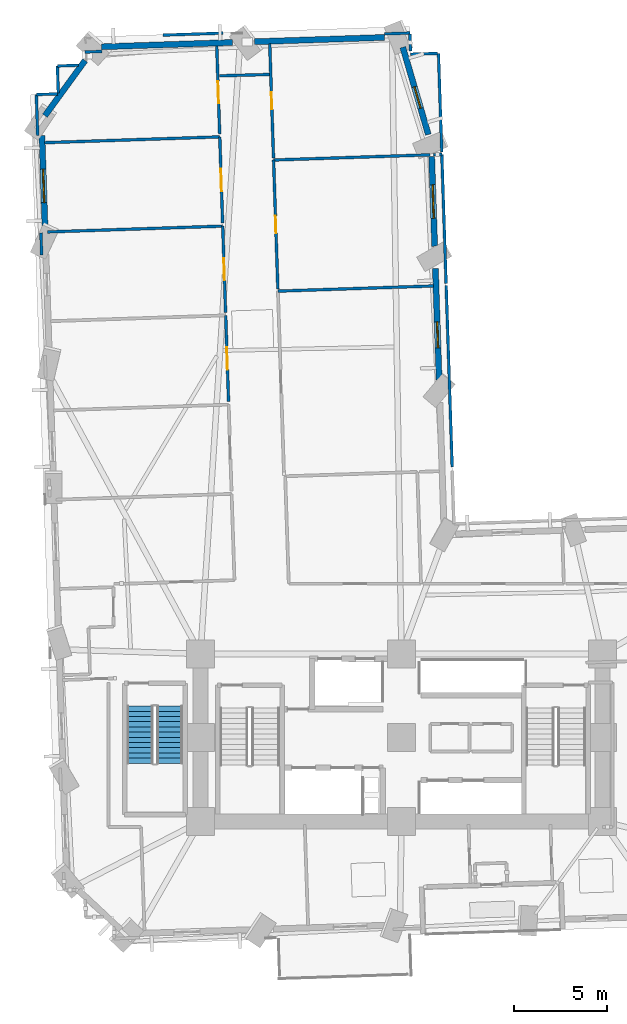
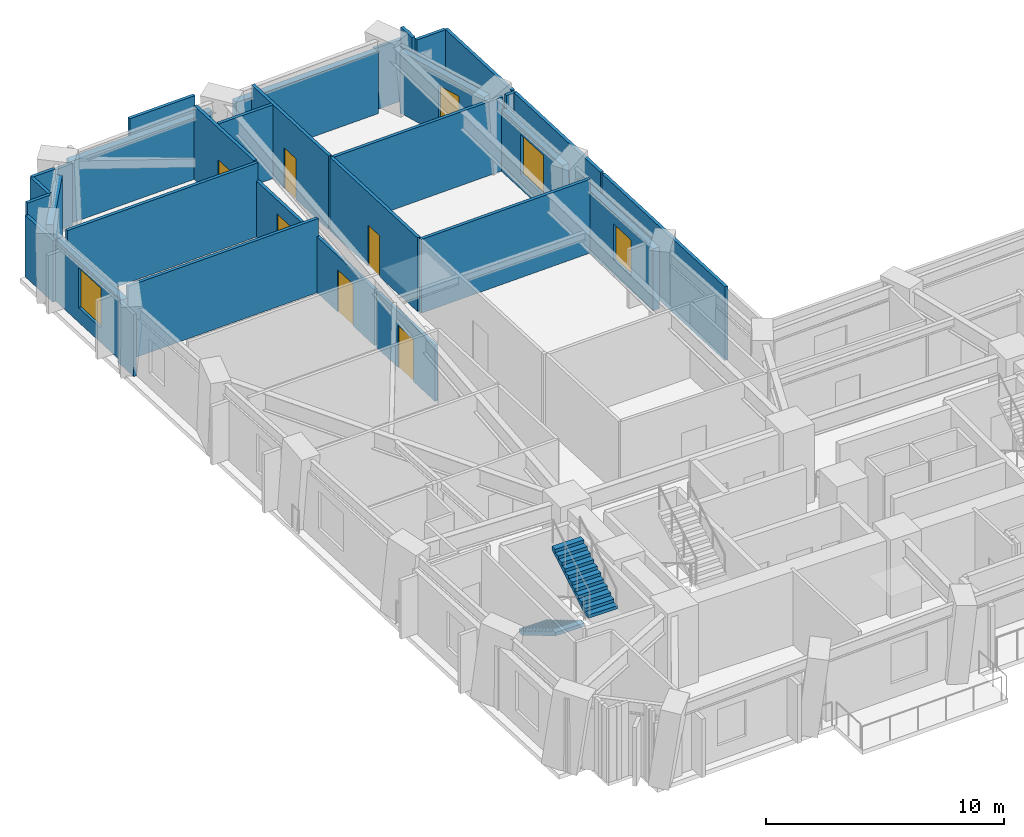
# One storey, part 9 of 14: 32 walls, 6 doors, 4 windows, 2 stair flights, 10 openings, 1 element without a shape of its own.
"""IFC4 building model written with IfcOpenShell, lengths in metres."""

from ifc_helpers import new_model, si_unit, direction, frame, frame_2d, origin, place, context, subcontext, project, spatial, polyline, rectangle, outline, extrude, material, layer, layer_set, type_object, element, fill, aggregate, save


model = new_model("IFC4")

# Units and contexts
model_context = context("Model", 3, precision=1e-05, world=origin(), true_north=direction((0.0, 1.0)))
body_context = subcontext(model_context, "Body", "Model", "MODEL_VIEW")
ifc_project = project(units=[si_unit("LENGTHUNIT", "METRE"), si_unit("AREAUNIT", "SQUARE_METRE"), si_unit("VOLUMEUNIT", "CUBIC_METRE"), si_unit("PLANEANGLEUNIT", "RADIAN"), si_unit("MASSUNIT", "GRAM", prefix="KILO")], contexts=[model_context])

# Site, building, storey
site_placement = place(None, origin())
site = spatial("IfcSite", under=ifc_project, at=site_placement, CompositionType="ELEMENT")
building_placement = place(site_placement, origin())
building = spatial("IfcBuilding", under=site, at=building_placement, Name="Gaonmaruhae Medical Tower", CompositionType="ELEMENT")
storey_placement = place(building_placement, frame((0.0, 0.0, 31.0)))
storey = spatial("IfcBuildingStorey", under=building, at=storey_placement, Name="L06", CompositionType="ELEMENT", Elevation=31.0)

# Wall, opening, window
ifc_material_1 = material(Name="Precast concrete C45/55", Category="concrete")
ifc_layer_1 = layer(ifc_material_1, 0.320068359375)
ifc_layer_set_1 = layer_set([ifc_layer_1], Name="Precast concrete C45/55")
wall_type_1 = type_object("IfcWallType", Name="EW-320 Lower Precast Masonry-Frame Facade Wall", PredefinedType="SOLIDWALL", material=ifc_layer_set_1)
wall_1_placement = place(storey_placement, frame((26.822998046875, 31.52978515625, 0.0), z_axis=(0.0, 0.0, 1.0), x_axis=(-0.033139960349, 0.99945072066, 0.0)))
wall_1 = element("IfcWall", 1, at=wall_1_placement, inside=storey, type_object=wall_type_1, Name="L06 Precast Masonry-Frame Wall NE01-NE02", PredefinedType="SOLIDWALL", context=body_context, shape_type="SweptSolid", body=[
    extrude(rectangle(XDim=5.99658203125, YDim=0.320068359375, at=frame_2d((2.998291015625, 0.0))), origin(), (0.0, 0.0, 1.0), 3.1650390625),
])
opening_1_placement = place(wall_1_placement, frame((1.72509765625, 0.0, 0.75)))
opening_1 = element("IfcOpeningElement", 2, at=opening_1_placement, cuts=wall_1, Name="Opening WN-03", PredefinedType="OPENING", context=body_context, shape_type="SweptSolid", body=[
    extrude(rectangle(XDim=1.39990234375, YDim=1.85009765625, at=frame_2d((0.699951171875, 0.925048828125))), frame((0.0, 0.169921875, 0.0), z_axis=(0.0, -1.0, 0.0), x_axis=(1.0, 0.0, 0.0)), (0.0, 0.0, 1.0), 0.340087890625),
])
ifc_material_2 = material(Name="Anodised aluminium and Low-E double glazing", Category="aluminium")
window_type_1 = type_object("IfcWindowType", Name="WN-03 Isolation Ward Punched Window 1400x1850", PartitioningType="SINGLE_PANEL", PredefinedType="WINDOW", material=ifc_material_2)
window_1_placement = place(opening_1_placement, origin())
window_1 = element("IfcWindow", 3, at=window_1_placement, inside=storey, type_object=window_type_1, Name="L06 Modular Facade Window NE01", OverallHeight=1.85009765625, OverallWidth=1.39990234375, PartitioningType="SINGLE_PANEL", PredefinedType="WINDOW", context=body_context, shape_type="SweptSolid", body=[
    extrude(rectangle(XDim=1.39990234375, YDim=1.85009765625, at=frame_2d((0.699951171875, 0.925048828125))), frame((0.0, 0.030029296875, 0.0), z_axis=(0.0, -1.0, 0.0), x_axis=(1.0, 0.0, 0.0)), (0.0, 0.0, 1.0), 0.06005859375),
])
fill(opening_1, window_1)

wall_2_placement = place(storey_placement, frame((26.584716796875, 38.71728515625, 0.0), z_axis=(0.0, 0.0, 1.0), x_axis=(-0.033151114743, 0.999450350739, 0.0)))
wall_2 = element("IfcWall", 4, at=wall_2_placement, inside=storey, type_object=wall_type_1, Name="L06 Precast Masonry-Frame Wall NE02-NE03", PredefinedType="SOLIDWALL", context=body_context, shape_type="SweptSolid", body=[
    extrude(rectangle(XDim=4.81640625, YDim=0.320068359375, at=frame_2d((2.408203125, 0.0))), origin(), (0.0, 0.0, 1.0), 3.1650390625),
])
opening_2_placement = place(wall_2_placement, frame((1.505615234375, 0.0, 0.75)))
opening_2 = element("IfcOpeningElement", 5, at=opening_2_placement, cuts=wall_2, Name="Opening WN-04", PredefinedType="OPENING", context=body_context, shape_type="SweptSolid", body=[
    extrude(rectangle(XDim=1.800048828125, YDim=2.050048828125, at=frame_2d((0.89990234375, 1.02490234375))), frame((0.0, 0.169921875, 0.0), z_axis=(0.0, -1.0, 0.0), x_axis=(1.0, 0.0, 0.0)), (0.0, 0.0, 1.0), 0.340087890625),
])
window_type_2 = type_object("IfcWindowType", Name="WN-04 Clinic & Consult Punched Window 1800x2050", PartitioningType="SINGLE_PANEL", PredefinedType="WINDOW", material=ifc_material_2)
window_2_placement = place(opening_2_placement, origin())
window_2 = element("IfcWindow", 6, at=window_2_placement, inside=storey, type_object=window_type_2, Name="L06 Modular Facade Window NE02", OverallHeight=2.050048828125, OverallWidth=1.800048828125, PartitioningType="SINGLE_PANEL", PredefinedType="WINDOW", context=body_context, shape_type="SweptSolid", body=[
    extrude(rectangle(XDim=1.800048828125, YDim=2.050048828125, at=frame_2d((0.89990234375, 1.02490234375))), frame((0.0, 0.030029296875, 0.0), z_axis=(0.0, -1.0, 0.0), x_axis=(1.0, 0.0, 0.0)), (0.0, 0.0, 1.0), 0.06005859375),
])
fill(opening_2, window_2)

wall_3_placement = place(storey_placement, frame((24.873291015625, 49.412109375, 0.0), z_axis=(0.0, 0.0, 1.0), x_axis=(0.280335546641, -0.959902068593, 0.0)))
wall_3 = element("IfcWall", 7, at=wall_3_placement, inside=storey, type_object=wall_type_1, Name="L06 Precast Masonry-Frame Wall NE03-N01", PredefinedType="SOLIDWALL", context=body_context, shape_type="SweptSolid", body=[
    extrude(rectangle(XDim=4.88916015625, YDim=0.320068359375, at=frame_2d((2.444580078125, 0.0))), origin(), (0.0, 0.0, 1.0), 3.1650390625),
])
opening_3_placement = place(wall_3_placement, frame((2.21484375, 0.0, 0.75)))
opening_3 = element("IfcOpeningElement", 8, at=opening_3_placement, cuts=wall_3, Name="Opening WN-05", PredefinedType="OPENING", context=body_context, shape_type="SweptSolid", body=[
    extrude(rectangle(XDim=1.199951171875, YDim=1.75, at=frame_2d((0.60009765625, 0.875))), frame((0.0, 0.169921875, 0.0), z_axis=(0.0, -1.0, 0.0), x_axis=(1.0, 0.0, 0.0)), (0.0, 0.0, 1.0), 0.340087890625),
])
window_type_3 = type_object("IfcWindowType", Name="WN-05 Support & Staff Punched Window 1200x1750", PartitioningType="SINGLE_PANEL", PredefinedType="WINDOW", material=ifc_material_2)
window_3_placement = place(opening_3_placement, origin())
window_3 = element("IfcWindow", 9, at=window_3_placement, inside=storey, type_object=window_type_3, Name="L06 Modular Facade Window NE03", OverallHeight=1.75, OverallWidth=1.199951171875, PartitioningType="SINGLE_PANEL", PredefinedType="WINDOW", context=body_context, shape_type="SweptSolid", body=[
    extrude(rectangle(XDim=1.199951171875, YDim=1.75, at=frame_2d((0.60009765625, 0.875))), frame((0.0, 0.030029296875, 0.0), z_axis=(0.0, -1.0, 0.0), x_axis=(1.0, 0.0, 0.0)), (0.0, 0.0, 1.0), 0.06005859375),
])
fill(opening_3, window_3)

# Walls
wall_4_placement = place(storey_placement, frame((16.8974609375, 49.7099609375, 0.0), z_axis=(0.0, 0.0, 1.0), x_axis=(0.999450233856, 0.033154638356, 0.0)))
element("IfcWall", 10, at=wall_4_placement, inside=storey, type_object=wall_type_1, Name="L06 Precast Masonry-Frame Wall N01-N02", PredefinedType="SOLIDWALL", context=body_context, shape_type="SweptSolid", body=[
    extrude(rectangle(XDim=7.0029296875, YDim=0.320068359375, at=frame_2d((3.50146484375, 0.0))), origin(), (0.0, 0.0, 1.0), 3.1650390625),
])
wall_5_placement = place(storey_placement, frame((8.6826171875, 49.4375, 0.0), z_axis=(0.0, 0.0, 1.0), x_axis=(0.999450593148, 0.033143805697, 0.0)))
element("IfcWall", 11, at=wall_5_placement, inside=storey, type_object=wall_type_1, Name="L06 Precast Masonry-Frame Wall N02-N03", PredefinedType="SOLIDWALL", context=body_context, shape_type="SweptSolid", body=[
    extrude(rectangle(XDim=7.03466796875, YDim=0.320068359375, at=frame_2d((3.517333984375, 0.0))), origin(), (0.0, 0.0, 1.0), 3.1650390625),
])
wall_6_placement = place(storey_placement, frame((5.63623046875, 45.7353515625, 0.0), z_axis=(0.0, 0.0, 1.0), x_axis=(0.588171697675, 0.808736084303, 0.0)))
element("IfcWall", 12, at=wall_6_placement, inside=storey, type_object=wall_type_1, Name="L06 Precast Masonry-Frame Wall N03-W01", PredefinedType="SOLIDWALL", context=body_context, shape_type="SweptSolid", body=[
    extrude(rectangle(XDim=3.666015625, YDim=0.320068359375, at=frame_2d((1.8330078125, 0.0))), origin(), (0.0, 0.0, 1.0), 3.1650390625),
])

# Wall, opening, window
wall_7_placement = place(storey_placement, frame((5.64892578125, 39.44775390625, 0.0), z_axis=(0.0, 0.0, 1.0), x_axis=(-0.033140517624, 0.999450702182, 0.0)))
wall_7 = element("IfcWall", 13, at=wall_7_placement, inside=storey, type_object=wall_type_1, Name="L06 Precast Masonry-Frame Wall W01-W02", PredefinedType="SOLIDWALL", context=body_context, shape_type="SweptSolid", body=[
    extrude(rectangle(XDim=5.22314453125, YDim=0.320068359375, at=frame_2d((2.611572265625, 0.0))), origin(), (0.0, 0.0, 1.0), 3.1650390625),
])
opening_4_placement = place(wall_7_placement, frame((1.613525390625, 0.0, 0.75)))
opening_4 = element("IfcOpeningElement", 14, at=opening_4_placement, cuts=wall_7, Name="Opening WN-04", PredefinedType="OPENING", context=body_context, shape_type="SweptSolid", body=[
    extrude(rectangle(XDim=1.800048828125, YDim=2.050048828125, at=frame_2d((0.89990234375, 1.02490234375))), frame((0.0, 0.169921875, 0.0), z_axis=(0.0, -1.0, 0.0), x_axis=(1.0, 0.0, 0.0)), (0.0, 0.0, 1.0), 0.340087890625),
])
window_4_placement = place(opening_4_placement, origin())
window_4 = element("IfcWindow", 15, at=window_4_placement, inside=storey, type_object=window_type_2, Name="L06 Modular Facade Window W01", OverallHeight=2.050048828125, OverallWidth=1.800048828125, PartitioningType="SINGLE_PANEL", PredefinedType="WINDOW", context=body_context, shape_type="SweptSolid", body=[
    extrude(rectangle(XDim=1.800048828125, YDim=2.050048828125, at=frame_2d((0.89990234375, 1.02490234375))), frame((0.0, 0.030029296875, 0.0), z_axis=(0.0, -1.0, 0.0), x_axis=(1.0, 0.0, 0.0)), (0.0, 0.0, 1.0), 0.06005859375),
])
fill(opening_4, window_4)

# Wall, opening, door
ifc_material_3 = material(Name="Gypsum board partition", Category="gypsum")
ifc_layer_2 = layer(ifc_material_3, 0.14990234375)
ifc_layer_set_2 = layer_set([ifc_layer_2], Name="Gypsum board partition")
wall_type_2 = type_object("IfcWallType", Name="PW-150 Rated Clinical Corridor Partition", PredefinedType="PARTITIONING", material=ifc_layer_set_2)
wall_8_placement = place(storey_placement, frame((15.35205078125, 35.0009765625, 0.0), z_axis=(0.0, 0.0, 1.0), x_axis=(0.033197462788, -0.999448812328, 0.0)))
wall_8 = element("IfcWall", 16, at=wall_8_placement, inside=storey, type_object=wall_type_2, Name="L06 Interior Partition L06-WOF16-62", PredefinedType="PARTITIONING", context=body_context, shape_type="SweptSolid", body=[
    extrude(rectangle(XDim=4.640380859375, YDim=0.14990234375, at=frame_2d((2.3203125, 0.0))), origin(), (0.0, 0.0, 1.0), 2.864990234375),
])
opening_5_placement = place(wall_8_placement, frame((1.72021484375, 0.0, 0.0)))
opening_5 = element("IfcOpeningElement", 17, at=opening_5_placement, cuts=wall_8, Name="Opening CD-02", PredefinedType="OPENING", context=body_context, shape_type="SweptSolid", body=[
    extrude(rectangle(XDim=1.199951171875, YDim=2.14990234375, at=frame_2d((0.60009765625, 1.074951171875))), frame((0.0, 0.0849609375, 0.0), z_axis=(0.0, -1.0, 0.0), x_axis=(1.0, 0.0, 0.0)), (0.0, 0.0, 1.0), 0.169921875),
])
ifc_material_4 = material(Name="Antimicrobial laminate timber fire door", Category="wood")
door_type_1 = type_object("IfcDoorType", Name="CD-02 Clinical Treatment & Procedure Door 1200x2150", OperationType="NOTDEFINED", PredefinedType="DOOR", material=ifc_material_4)
door_1_placement = place(opening_5_placement, origin())
door_1 = element("IfcDoor", 18, at=door_1_placement, inside=storey, type_object=door_type_1, Name="L06 Ward Physician Reporting Office Door", OperationType="SINGLE_SWING_LEFT", OverallHeight=2.14990234375, OverallWidth=1.199951171875, PredefinedType="DOOR", context=body_context, shape_type="SweptSolid", body=[
    extrude(rectangle(XDim=1.199951171875, YDim=2.14990234375, at=frame_2d((0.60009765625, 1.074951171875))), frame((0.0, 0.02490234375, 0.0), z_axis=(0.0, -1.0, 0.0), x_axis=(1.0, 0.0, 0.0)), (0.0, 0.0, 1.0), 0.050048828125),
])
fill(opening_5, door_1)

# Wall
wall_9_placement = place(storey_placement, frame((5.782958984375, 39.486083984375, 0.0), z_axis=(0.0, 0.0, 1.0), x_axis=(0.999450762432, 0.03313870056, 0.0)))
element("IfcWall", 19, at=wall_9_placement, inside=storey, type_object=wall_type_2, Name="L06 Interior Partition L06-WOF17-64", PredefinedType="PARTITIONING", context=body_context, shape_type="SweptSolid", body=[
    extrude(rectangle(XDim=9.415283203125, YDim=0.14990234375, at=frame_2d((4.70751953125, 0.0))), origin(), (0.0, 0.0, 1.0), 3.780029296875),
])

# Wall, opening, door
wall_10_placement = place(storey_placement, frame((15.193115234375, 39.798095703125, 0.0), z_axis=(0.0, 0.0, 1.0), x_axis=(0.032932963172, -0.999457562849, 0.0)))
wall_10 = element("IfcWall", 20, at=wall_10_placement, inside=storey, type_object=wall_type_2, Name="L06 Interior Partition L06-WOF17-65", PredefinedType="PARTITIONING", context=body_context, shape_type="SweptSolid", body=[
    extrude(rectangle(XDim=4.640625, YDim=0.14990234375, at=frame_2d((2.3203125, 0.0))), origin(), (0.0, 0.0, 1.0), 2.864990234375),
])
opening_6_placement = place(wall_10_placement, frame((1.72021484375, 0.0, 0.0)))
opening_6 = element("IfcOpeningElement", 21, at=opening_6_placement, cuts=wall_10, Name="Opening CD-02", PredefinedType="OPENING", context=body_context, shape_type="SweptSolid", body=[
    extrude(rectangle(XDim=1.199951171875, YDim=2.14990234375, at=frame_2d((0.60009765625, 1.074951171875))), frame((0.0, 0.0849609375, 0.0), z_axis=(0.0, -1.0, 0.0), x_axis=(1.0, 0.0, 0.0)), (0.0, 0.0, 1.0), 0.169921875),
])
door_2_placement = place(opening_6_placement, origin())
door_2 = element("IfcDoor", 22, at=door_2_placement, inside=storey, type_object=door_type_1, Name="L06 Ward Physician Reporting Office Door", OperationType="SINGLE_SWING_LEFT", OverallHeight=2.14990234375, OverallWidth=1.199951171875, PredefinedType="DOOR", context=body_context, shape_type="SweptSolid", body=[
    extrude(rectangle(XDim=1.199951171875, YDim=2.14990234375, at=frame_2d((0.60009765625, 1.074951171875))), frame((0.0, 0.02490234375, 0.0), z_axis=(0.0, -1.0, 0.0), x_axis=(1.0, 0.0, 0.0)), (0.0, 0.0, 1.0), 0.050048828125),
])
fill(opening_6, door_2)

# Walls
wall_11_placement = place(storey_placement, frame((5.458984375, 38.2509765625, 0.0), z_axis=(0.0, 0.0, 1.0), x_axis=(-0.033656486127, 0.999433459987, 0.0)))
element("IfcWall", 23, at=wall_11_placement, inside=storey, type_object=wall_type_2, Name="L06 Interior Partition L06-WOF17-66", PredefinedType="PARTITIONING", context=body_context, shape_type="SweptSolid", body=[
    extrude(rectangle(XDim=1.189697265625, YDim=0.14990234375, at=frame_2d((0.5947265625, 0.0))), origin(), (0.0, 0.0, 1.0), 3.1650390625),
])
wall_12_placement = place(storey_placement, frame((5.6240234375, 44.282958984375, 0.0), z_axis=(0.0, 0.0, 1.0), x_axis=(0.999450620025, 0.03314299521, 0.0)))
element("IfcWall", 24, at=wall_12_placement, inside=storey, type_object=wall_type_2, Name="L06 Interior Partition L06-WOF18-67", PredefinedType="PARTITIONING", context=body_context, shape_type="SweptSolid", body=[
    extrude(rectangle(XDim=9.4140625, YDim=0.14990234375, at=frame_2d((4.70703125, 0.0))), origin(), (0.0, 0.0, 1.0), 3.780029296875),
])

# Wall, opening, door
wall_13_placement = place(storey_placement, frame((15.032958984375, 44.594970703125, 0.0), z_axis=(0.0, 0.0, 1.0), x_axis=(0.033204446596, -0.999448580331, 0.0)))
wall_13 = element("IfcWall", 25, at=wall_13_placement, inside=storey, type_object=wall_type_2, Name="L06 Interior Partition L06-WOF18-68", PredefinedType="PARTITIONING", context=body_context, shape_type="SweptSolid", body=[
    extrude(rectangle(XDim=4.639404296875, YDim=0.14990234375, at=frame_2d((2.31982421875, 0.0))), origin(), (0.0, 0.0, 1.0), 2.864990234375),
])
opening_7_placement = place(wall_13_placement, frame((1.7197265625, 0.0, 0.0)))
opening_7 = element("IfcOpeningElement", 26, at=opening_7_placement, cuts=wall_13, Name="Opening CD-02", PredefinedType="OPENING", context=body_context, shape_type="SweptSolid", body=[
    extrude(rectangle(XDim=1.199951171875, YDim=2.14990234375, at=frame_2d((0.60009765625, 1.074951171875))), frame((0.0, 0.0849609375, 0.0), z_axis=(0.0, -1.0, 0.0), x_axis=(1.0, 0.0, 0.0)), (0.0, 0.0, 1.0), 0.169921875),
])
door_3_placement = place(opening_7_placement, origin())
door_3 = element("IfcDoor", 27, at=door_3_placement, inside=storey, type_object=door_type_1, Name="L06 Ward Physician Reporting Office Door", OperationType="SINGLE_SWING_LEFT", OverallHeight=2.14990234375, OverallWidth=1.199951171875, PredefinedType="DOOR", context=body_context, shape_type="SweptSolid", body=[
    extrude(rectangle(XDim=1.199951171875, YDim=2.14990234375, at=frame_2d((0.60009765625, 1.074951171875))), frame((0.0, 0.02490234375, 0.0), z_axis=(0.0, -1.0, 0.0), x_axis=(1.0, 0.0, 0.0)), (0.0, 0.0, 1.0), 0.050048828125),
])
fill(opening_7, door_3)

# Walls
wall_14_placement = place(storey_placement, frame((6.302001953125, 48.407958984375, 0.0), z_axis=(0.0, 0.0, 1.0), x_axis=(0.999441334506, 0.033421832408, 0.0)))
element("IfcWall", 28, at=wall_14_placement, inside=storey, type_object=wall_type_2, Name="L06 Interior Partition L06-WOF19-69", PredefinedType="PARTITIONING", context=body_context, shape_type="SweptSolid", body=[
    extrude(rectangle(XDim=1.1396484375, YDim=0.14990234375, at=frame_2d((0.56982421875, 0.0))), origin(), (0.0, 0.0, 1.0), 3.780029296875),
])
wall_15_placement = place(storey_placement, frame((7.778076171875, 49.156982421875, 0.0), z_axis=(0.0, 0.0, 1.0), x_axis=(0.999459349034, 0.032878710867, 0.0)))
element("IfcWall", 29, at=wall_15_placement, inside=storey, type_object=wall_type_2, Name="L06 Interior Partition L06-WOF19-70", PredefinedType="PARTITIONING", context=body_context, shape_type="SweptSolid", body=[
    extrude(rectangle(XDim=0.913330078125, YDim=0.14990234375, at=frame_2d((0.45654296875, 0.0))), origin(), (0.0, 0.0, 1.0), 3.1650390625),
])

# Wall, opening, door
wall_16_placement = place(storey_placement, frame((14.87109375, 49.48291015625, 0.0), z_axis=(0.0, 0.0, 1.0), x_axis=(0.033184233647, -0.999449251657, 0.0)))
wall_16 = element("IfcWall", 30, at=wall_16_placement, inside=storey, type_object=wall_type_2, Name="L06 Interior Partition L06-WOF19-71", PredefinedType="PARTITIONING", context=body_context, shape_type="SweptSolid", body=[
    extrude(rectangle(XDim=4.730712890625, YDim=0.14990234375, at=frame_2d((2.365234375, 0.0))), origin(), (0.0, 0.0, 1.0), 3.780029296875),
])
opening_8_placement = place(wall_16_placement, frame((1.889892578125, 0.0, 0.0)))
opening_8 = element("IfcOpeningElement", 31, at=opening_8_placement, cuts=wall_16, Name="Opening CD-02", PredefinedType="OPENING", context=body_context, shape_type="SweptSolid", body=[
    extrude(rectangle(XDim=1.199951171875, YDim=2.14990234375, at=frame_2d((0.60009765625, 1.074951171875))), frame((0.0, 0.0849609375, 0.0), z_axis=(0.0, -1.0, 0.0), x_axis=(1.0, 0.0, 0.0)), (0.0, 0.0, 1.0), 0.169921875),
])
door_4_placement = place(opening_8_placement, origin())
door_4 = element("IfcDoor", 32, at=door_4_placement, inside=storey, type_object=door_type_1, Name="L06 Ward Physician Reporting Office Door", OperationType="SINGLE_SWING_LEFT", OverallHeight=2.14990234375, OverallWidth=1.199951171875, PredefinedType="DOOR", context=body_context, shape_type="SweptSolid", body=[
    extrude(rectangle(XDim=1.199951171875, YDim=2.14990234375, at=frame_2d((0.60009765625, 1.074951171875))), frame((0.0, 0.02490234375, 0.0), z_axis=(0.0, -1.0, 0.0), x_axis=(1.0, 0.0, 0.0)), (0.0, 0.0, 1.0), 0.050048828125),
])
fill(opening_8, door_4)

# Walls
wall_17_placement = place(storey_placement, frame((5.24609375, 44.659912109375, 0.0), z_axis=(0.0, 0.0, 1.0), x_axis=(-0.033009726512, 0.999455030482, 0.0)))
element("IfcWall", 33, at=wall_17_placement, inside=storey, type_object=wall_type_2, Name="L06 Interior Partition L06-WOF19-72", PredefinedType="PARTITIONING", context=body_context, shape_type="SweptSolid", body=[
    extrude(rectangle(XDim=2.21142578125, YDim=0.14990234375, at=frame_2d((1.105712890625, 0.0))), origin(), (0.0, 0.0, 1.0), 3.1650390625),
])
wall_18_placement = place(storey_placement, frame((5.173095703125, 46.8701171875, 0.0), z_axis=(0.0, 0.0, 1.0), x_axis=(0.999458028586, 0.032918825846, 0.0)))
element("IfcWall", 34, at=wall_18_placement, inside=storey, type_object=wall_type_2, Name="L06 Interior Partition L06-WOF19-73", PredefinedType="PARTITIONING", context=body_context, shape_type="SweptSolid", body=[
    extrude(rectangle(XDim=1.149658203125, YDim=0.14990234375, at=frame_2d((0.57470703125, 0.0))), origin(), (0.0, 0.0, 1.0), 3.780029296875),
])
wall_19_placement = place(storey_placement, frame((6.35107421875, 46.947021484375, 0.0), z_axis=(0.0, 0.0, 1.0), x_axis=(-0.033570639337, 0.999436347235, 0.0)))
element("IfcWall", 35, at=wall_19_placement, inside=storey, type_object=wall_type_2, Name="L06 Interior Partition L06-WOF19-74", PredefinedType="PARTITIONING", context=body_context, shape_type="SweptSolid", body=[
    extrude(rectangle(XDim=1.461669921875, YDim=0.14990234375, at=frame_2d((0.73095703125, 0.0))), origin(), (0.0, 0.0, 1.0), 3.780029296875),
])
wall_20_placement = place(storey_placement, frame((18.159912109375, 36.303955078125, 0.0), z_axis=(0.0, 0.0, 1.0), x_axis=(0.999451141427, 0.033127268216, 0.0)))
element("IfcWall", 36, at=wall_20_placement, inside=storey, type_object=wall_type_2, Name="L06 Interior Partition L06-IN01-103", PredefinedType="PARTITIONING", context=body_context, shape_type="SweptSolid", body=[
    extrude(rectangle(XDim=8.36474609375, YDim=0.14990234375, at=frame_2d((4.182373046875, 0.0))), origin(), (0.0, 0.0, 1.0), 3.780029296875),
])
wall_21_placement = place(storey_placement, frame((27.205078125, 36.60400390625, 0.0), z_axis=(0.0, 0.0, 1.0), x_axis=(0.033130558388, -0.999451032368, 0.0)))
element("IfcWall", 37, at=wall_21_placement, inside=storey, type_object=wall_type_2, Name="L06 Interior Partition L06-IN01-104", PredefinedType="PARTITIONING", context=body_context, shape_type="SweptSolid", body=[
    extrude(rectangle(XDim=9.749267578125, YDim=0.14990234375, at=frame_2d((4.87451171875, 0.0))), origin(), (0.0, 0.0, 1.0), 3.780029296875),
])

# Wall, opening, door
wall_22_placement = place(storey_placement, frame((18.156005859375, 36.424072265625, 0.0), z_axis=(0.0, 0.0, 1.0), x_axis=(-0.033182294988, 0.999449316023, 0.0)))
wall_22 = element("IfcWall", 38, at=wall_22_placement, inside=storey, type_object=wall_type_2, Name="L06 Interior Partition L06-IN02-105", PredefinedType="PARTITIONING", context=body_context, shape_type="SweptSolid", body=[
    extrude(rectangle(XDim=6.930908203125, YDim=0.14990234375, at=frame_2d((3.46533203125, 0.0))), origin(), (0.0, 0.0, 1.0), 3.780029296875),
])
opening_9_placement = place(wall_22_placement, frame((3.00537109375, 0.0, 0.0)))
opening_9 = element("IfcOpeningElement", 39, at=opening_9_placement, cuts=wall_22, Name="Opening UD-01", PredefinedType="OPENING", context=body_context, shape_type="SweptSolid", body=[
    extrude(rectangle(XDim=0.919921875, YDim=2.10009765625, at=frame_2d((0.4599609375, 1.050048828125))), frame((0.0, 0.0849609375, 0.0), z_axis=(0.0, -1.0, 0.0), x_axis=(1.0, 0.0, 0.0)), (0.0, 0.0, 1.0), 0.169921875),
])
ifc_material_5 = material(Name="Powder-coated steel utility door", Category="steel")
door_type_2 = type_object("IfcDoorType", Name="UD-01 Toilet, Utility & Housekeeping Door 920x2100", OperationType="NOTDEFINED", PredefinedType="DOOR", material=ifc_material_5)
door_5_placement = place(opening_9_placement, origin())
door_5 = element("IfcDoor", 40, at=door_5_placement, inside=storey, type_object=door_type_2, Name="L06 Ward Nutrition Pantry Door", OperationType="SINGLE_SWING_LEFT", OverallHeight=2.10009765625, OverallWidth=0.919921875, PredefinedType="DOOR", context=body_context, shape_type="SweptSolid", body=[
    extrude(rectangle(XDim=0.919921875, YDim=2.10009765625, at=frame_2d((0.4599609375, 1.050048828125))), frame((0.0, 0.02490234375, 0.0), z_axis=(0.0, -1.0, 0.0), x_axis=(1.0, 0.0, 0.0)), (0.0, 0.0, 1.0), 0.050048828125),
])
fill(opening_9, door_5)

# Walls
wall_23_placement = place(storey_placement, frame((17.926025390625, 43.35107421875, 0.0), z_axis=(0.0, 0.0, 1.0), x_axis=(0.999450530014, 0.033145709461, 0.0)))
element("IfcWall", 41, at=wall_23_placement, inside=storey, type_object=wall_type_2, Name="L06 Interior Partition L06-IN02-106", PredefinedType="PARTITIONING", context=body_context, shape_type="SweptSolid", body=[
    extrude(rectangle(XDim=8.41162109375, YDim=0.14990234375, at=frame_2d((4.205810546875, 0.0))), origin(), (0.0, 0.0, 1.0), 3.780029296875),
])
wall_24_placement = place(storey_placement, frame((26.510009765625, 43.635986328125, 0.0), z_axis=(0.0, 0.0, 1.0), x_axis=(0.999478462141, 0.032292471499, 0.0)))
element("IfcWall", 42, at=wall_24_placement, inside=storey, type_object=wall_type_2, Name="L06 Interior Partition L06-IN02-107", PredefinedType="PARTITIONING", context=body_context, shape_type="SweptSolid", body=[
    extrude(rectangle(XDim=0.461181640625, YDim=0.14990234375, at=frame_2d((0.23046875, 0.0))), origin(), (0.0, 0.0, 1.0), 3.780029296875),
])
wall_25_placement = place(storey_placement, frame((26.970947265625, 43.65087890625, 0.0), z_axis=(0.0, 0.0, 1.0), x_axis=(0.033183463244, -0.999449277236, 0.0)))
element("IfcWall", 43, at=wall_25_placement, inside=storey, type_object=wall_type_2, Name="L06 Interior Partition L06-IN02-108", PredefinedType="PARTITIONING", context=body_context, shape_type="SweptSolid", body=[
    extrude(rectangle(XDim=6.9306640625, YDim=0.14990234375, at=frame_2d((3.46533203125, 0.0))), origin(), (0.0, 0.0, 1.0), 3.780029296875),
])
wall_26_placement = place(storey_placement, frame((26.791015625, 49.087890625, 0.0), z_axis=(0.0, 0.0, 1.0), x_axis=(0.033088676403, -0.999452419825, 0.0)))
element("IfcWall", 44, at=wall_26_placement, inside=storey, type_object=wall_type_2, Name="L06 Interior Partition L06-IN03-109", PredefinedType="PARTITIONING", context=body_context, shape_type="SweptSolid", body=[
    extrude(rectangle(XDim=5.31982421875, YDim=0.14990234375, at=frame_2d((2.659912109375, 0.0))), origin(), (0.0, 0.0, 1.0), 3.780029296875),
])

# Wall, opening, door
wall_27_placement = place(storey_placement, frame((17.922119140625, 43.469970703125, 0.0), z_axis=(0.0, 0.0, 1.0), x_axis=(-0.033106816638, 0.999451819095, 0.0)))
wall_27 = element("IfcWall", 45, at=wall_27_placement, inside=storey, type_object=wall_type_2, Name="L06 Interior Partition L06-IN03-110", PredefinedType="PARTITIONING", context=body_context, shape_type="SweptSolid", body=[
    extrude(rectangle(XDim=6.135498046875, YDim=0.14990234375, at=frame_2d((3.06787109375, 0.0))), origin(), (0.0, 0.0, 1.0), 3.780029296875),
])
opening_10_placement = place(wall_27_placement, frame((2.607666015625, 0.0, 0.0)))
opening_10 = element("IfcOpeningElement", 46, at=opening_10_placement, cuts=wall_27, Name="Opening UD-01", PredefinedType="OPENING", context=body_context, shape_type="SweptSolid", body=[
    extrude(rectangle(XDim=0.919921875, YDim=2.10009765625, at=frame_2d((0.4599609375, 1.050048828125))), frame((0.0, 0.0849609375, 0.0), z_axis=(0.0, -1.0, 0.0), x_axis=(1.0, 0.0, 0.0)), (0.0, 0.0, 1.0), 0.169921875),
])
door_6_placement = place(opening_10_placement, origin())
door_6 = element("IfcDoor", 47, at=door_6_placement, inside=storey, type_object=door_type_2, Name="L06 Public Visitor Toilet Door", OperationType="SINGLE_SWING_LEFT", OverallHeight=2.10009765625, OverallWidth=0.919921875, PredefinedType="DOOR", context=body_context, shape_type="SweptSolid", body=[
    extrude(rectangle(XDim=0.919921875, YDim=2.10009765625, at=frame_2d((0.4599609375, 1.050048828125))), frame((0.0, 0.02490234375, 0.0), z_axis=(0.0, -1.0, 0.0), x_axis=(1.0, 0.0, 0.0)), (0.0, 0.0, 1.0), 0.050048828125),
])
fill(opening_10, door_6)

# Walls
wall_28_placement = place(storey_placement, frame((23.889892578125, 50.132080078125, 0.0), z_axis=(0.0, 0.0, 1.0), x_axis=(0.999458129886, 0.032915750116, 0.0)))
element("IfcWall", 48, at=wall_28_placement, inside=storey, type_object=wall_type_2, Name="L06 Interior Partition L06-IN03-111", PredefinedType="PARTITIONING", context=body_context, shape_type="SweptSolid", body=[
    extrude(rectangle(XDim=1.36474609375, YDim=0.14990234375, at=frame_2d((0.682373046875, 0.0))), origin(), (0.0, 0.0, 1.0), 3.1650390625),
])
wall_29_placement = place(storey_placement, frame((25.256103515625, 50.126953125, 0.0), z_axis=(0.0, 0.0, 1.0), x_axis=(0.032498815678, -0.999471773978, 0.0)))
element("IfcWall", 49, at=wall_29_placement, inside=storey, type_object=wall_type_2, Name="L06 Interior Partition L06-IN03-112", PredefinedType="PARTITIONING", context=body_context, shape_type="SweptSolid", body=[
    extrude(rectangle(XDim=0.91650390625, YDim=0.14990234375, at=frame_2d((0.458251953125, 0.0))), origin(), (0.0, 0.0, 1.0), 3.780029296875),
])
wall_30_placement = place(storey_placement, frame((25.2919921875, 49.0380859375, 0.0), z_axis=(0.0, 0.0, 1.0), x_axis=(0.999455139101, 0.033006437618, 0.0)))
element("IfcWall", 50, at=wall_30_placement, inside=storey, type_object=wall_type_2, Name="L06 Interior Partition L06-IN03-113", PredefinedType="PARTITIONING", context=body_context, shape_type="SweptSolid", body=[
    extrude(rectangle(XDim=1.44970703125, YDim=0.14990234375, at=frame_2d((0.724853515625, 0.0))), origin(), (0.0, 0.0, 1.0), 3.780029296875),
])
wall_31_placement = place(storey_placement, frame((17.699951171875, 47.949951171875, 0.0), z_axis=(0.0, 0.0, 1.0), x_axis=(-0.999627876936, -0.027278336698, 0.0)))
element("IfcWall", 51, at=wall_31_placement, inside=storey, type_object=wall_type_2, Name="L06 Interior Partition L06-RM01-114", PredefinedType="PARTITIONING", context=body_context, shape_type="SweptSolid", body=[
    extrude(rectangle(XDim=2.676025390625, YDim=0.14990234375, at=frame_2d((1.337890625, 0.0))), origin(), (0.0, 0.0, 1.0), 3.780029296875),
])
wall_32_placement = place(storey_placement, frame((11.97998046875, 50.06689453125, 0.0), z_axis=(0.0, 0.0, 1.0), x_axis=(0.999448260766, 0.033214064078, 0.0)))
element("IfcWall", 52, at=wall_32_placement, inside=storey, type_object=wall_type_2, Name="L06 Interior Partition L06-RM01-115", PredefinedType="PARTITIONING", context=body_context, shape_type="SweptSolid", body=[
    extrude(rectangle(XDim=3.226806640625, YDim=0.14990234375, at=frame_2d((1.61328125, 0.0))), origin(), (0.0, 0.0, 1.0), 3.780029296875),
])

# Stair, stair flights
ifc_material_6 = material(Name="Concrete C40/50", Category="concrete")
stair_type = type_object("IfcStairType", Name="ST-T2 Zone 1 Escape Dogleg Stair", PredefinedType="TWO_QUARTER_TURN_STAIR", material=ifc_material_6)
stair_placement = place(storey_placement, origin())
stair = element("IfcStair", 53, at=stair_placement, inside=storey, type_object=stair_type, Name="L06 Protected Escape Stair ST-03", PredefinedType="TWO_QUARTER_TURN_STAIR")
stair_flight_type = type_object("IfcStairFlightType", Name="SF-T2 Zone 1 Precast Stair Flight", PredefinedType="STRAIGHT", material=ifc_material_6)
stair_flight_1_placement = place(storey_placement, frame((10.75, 14.0, 0.0), z_axis=(0.0, 0.0, 1.0), x_axis=(0.0, -1.0, 0.0)))
stair_flight_1 = element("IfcStairFlight", 54, at=stair_flight_1_placement, type_object=stair_flight_type, Name="ST-03 flight 1", NumberOfRisers=12, NumberOfTreads=11, PredefinedType="STRAIGHT", RiserHeight=0.166666667, TreadLength=0.28, context=body_context, shape_type="SweptSolid", body=[
    extrude(outline(polyline([(0.0, 0.0), (0.0, 0.166748046875), (0.280029296875, 0.166748046875), (0.280029296875, 0.333251953125), (0.56005859375, 0.333251953125), (0.56005859375, 0.5), (0.840087890625, 0.5), (0.840087890625, 0.666748046875), (1.1201171875, 0.666748046875), (1.1201171875, 0.833251953125), (1.39990234375, 0.833251953125), (1.39990234375, 1.0), (1.679931640625, 1.0), (1.679931640625, 1.166748046875), (1.9599609375, 1.166748046875), (1.9599609375, 1.333251953125), (2.239990234375, 1.333251953125), (2.239990234375, 1.5), (2.52001953125, 1.5), (2.52001953125, 1.666748046875), (2.800048828125, 1.666748046875), (2.800048828125, 1.833251953125), (3.080078125, 1.833251953125), (3.080078125, 2.0), (3.080078125, 1.658935546875), (0.29296875, 0.0), (0.0, 0.0)])), frame((0.0, 0.699951171875, 0.0), z_axis=(0.0, -1.0, 0.0), x_axis=(1.0, 0.0, 0.0)), (0.0, 0.0, 1.0), 1.39990234375),
])
stair_flight_2_placement = place(storey_placement, frame((12.35009765625, 10.919921875, 2.0), z_axis=(0.0, 0.0, 1.0), x_axis=(0.0, 1.0, 0.0)))
stair_flight_2 = element("IfcStairFlight", 55, at=stair_flight_2_placement, type_object=stair_flight_type, Name="ST-03 flight 2", NumberOfRisers=12, NumberOfTreads=11, PredefinedType="STRAIGHT", RiserHeight=0.166666667, TreadLength=0.28, context=body_context, shape_type="SweptSolid", body=[
    extrude(outline(polyline([(0.0, 0.0), (0.0, 0.166748046875), (0.280029296875, 0.166748046875), (0.280029296875, 0.333251953125), (0.56005859375, 0.333251953125), (0.56005859375, 0.5), (0.840087890625, 0.5), (0.840087890625, 0.666748046875), (1.1201171875, 0.666748046875), (1.1201171875, 0.833251953125), (1.39990234375, 0.833251953125), (1.39990234375, 1.0), (1.679931640625, 1.0), (1.679931640625, 1.166748046875), (1.9599609375, 1.166748046875), (1.9599609375, 1.333251953125), (2.239990234375, 1.333251953125), (2.239990234375, 1.5), (2.52001953125, 1.5), (2.52001953125, 1.666748046875), (2.800048828125, 1.666748046875), (2.800048828125, 1.833251953125), (3.080078125, 1.833251953125), (3.080078125, 2.0), (3.080078125, 1.658935546875), (0.29296875, 0.0), (0.0, 0.0)])), frame((0.0, 0.699951171875, 0.0), z_axis=(0.0, -1.0, 0.0), x_axis=(1.0, 0.0, 0.0)), (0.0, 0.0, 1.0), 1.39990234375),
])
aggregate(stair, [stair_flight_1, stair_flight_2])

save(model, "model.ifc")
